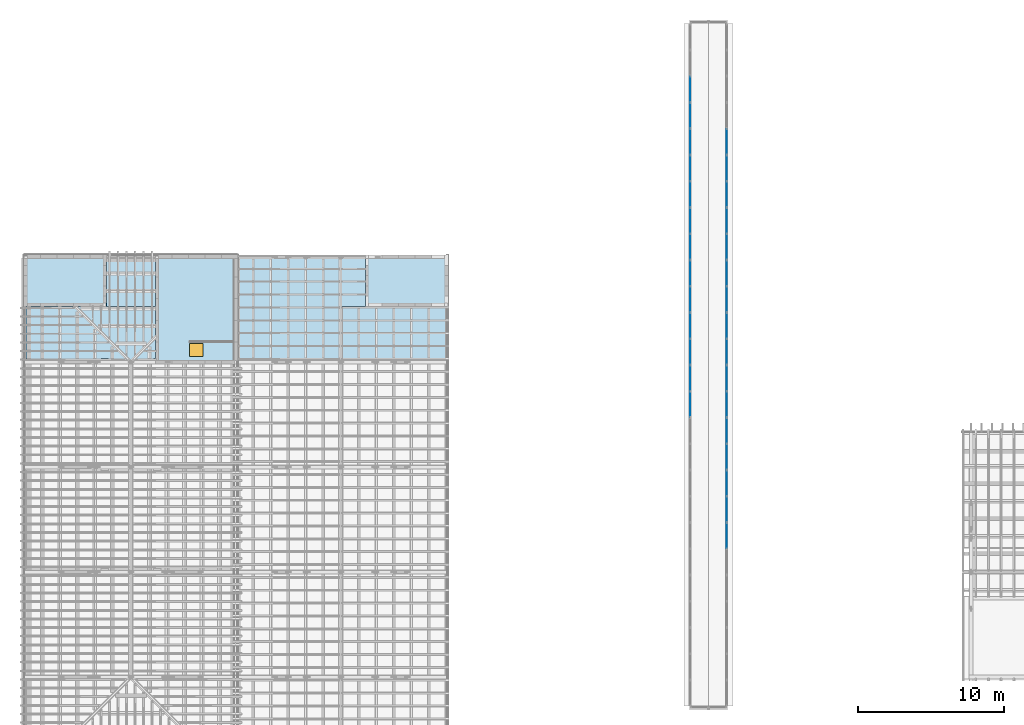
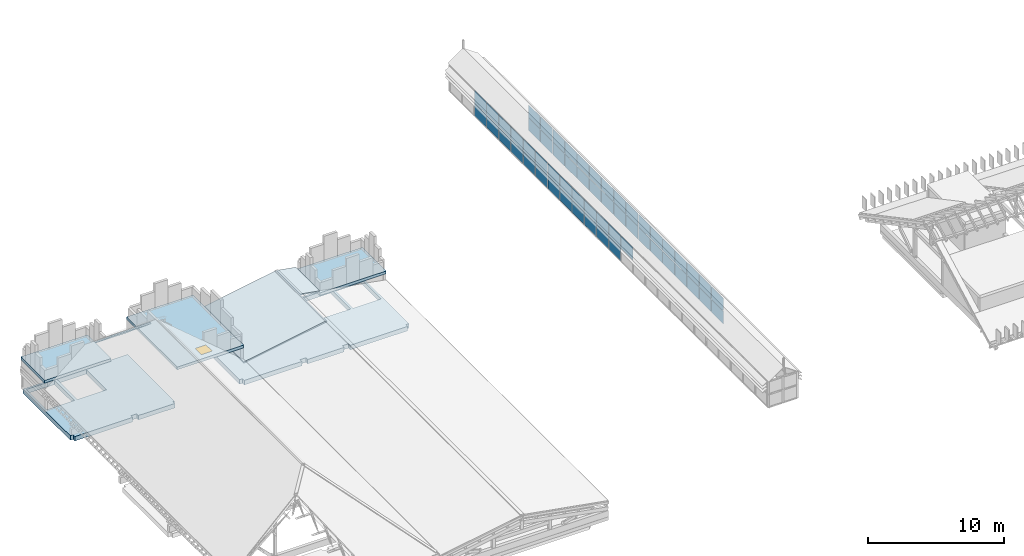
# One storey, part 14 of 28: 57 plates, 8 slabs, 1 door, 1 opening, 2 elements without a shape of their own.
"""IFC4 building model written with IfcOpenShell, lengths in metres."""

import ifcopenshell
import ifcopenshell.guid

model = None  # the IFC model being written
_history = None  # IfcOwnerHistory: only IFC2X3 demands one
_inside = {}  # id of a spatial element -> (the spatial element, [elements in it])
_under = {}  # id of a project, library or spatial element -> (it, [spatial elements below it])
_declared = {}  # id of a project -> (the project, [libraries it declares])
_typed = {}  # id of a type object -> (the type object, [elements of that type])
_made_of = {}  # id of a material, layer set ... -> (it, [elements and type objects made of it])


def new_model(schema):
    """Start an empty IFC model of exactly this schema.

    Asked for "IFC4X3", IfcOpenShell would pick the latest addendum, in which some entities
    have other attributes; the version numbers below select the first issue.
    IFC2X3 requires an IfcOwnerHistory on every rooted entity: one is made here for all.
    """
    global model, _history
    if schema == "IFC4X3":
        model = ifcopenshell.file(schema_version=(4, 3, 0, 0))
    else:
        model = ifcopenshell.file(schema=schema)
    _inside.clear()
    _under.clear()
    _declared.clear()
    _typed.clear()
    _made_of.clear()
    _history = None
    if model.schema == "IFC2X3":
        org = make("IfcOrganization", Name="unknown")
        user = make(
            "IfcPersonAndOrganization",
            ThePerson=make("IfcPerson", FamilyName="unknown"),
            TheOrganization=org,
        )
        app = make(
            "IfcApplication",
            ApplicationDeveloper=org,
            Version="unknown",
            ApplicationFullName="unknown",
            ApplicationIdentifier="unknown",
        )
        _history = make(
            "IfcOwnerHistory",
            OwningUser=user,
            OwningApplication=app,
            ChangeAction="ADDED",
            CreationDate=0,
        )
    return model


def make(cls, **values):
    """One entity of the class cls with the attributes given. An attribute that is None is left unset."""
    return model.create_entity(
        cls, **{name: value for name, value in values.items() if value is not None}
    )


def rooted(cls, **values):
    """An entity with a GlobalId (a new one), such as an element, a storey or a relation."""
    return make(cls, GlobalId=ifcopenshell.guid.new(), OwnerHistory=_history, **values)


def si_unit(unit_type, name, prefix=None):
    """IfcSIUnit, for example si_unit("LENGTHUNIT", "METRE", prefix="MILLI")."""
    return make("IfcSIUnit", UnitType=unit_type, Prefix=prefix, Name=name)


def assignment(units):
    """IfcUnitAssignment: the units of a project."""
    return None if units is None else make("IfcUnitAssignment", Units=units)


def point(xyz):
    """IfcCartesianPoint."""
    return None if xyz is None else make("IfcCartesianPoint", Coordinates=xyz)


def direction(xyz):
    """IfcDirection."""
    return None if xyz is None else make("IfcDirection", DirectionRatios=xyz)


def frame(location, z_axis=None, x_axis=None):
    """IfcAxis2Placement3D, a coordinate frame: its origin and axes. An axis left out is left unset."""
    return make(
        "IfcAxis2Placement3D",
        Location=point(location),
        Axis=direction(z_axis),
        RefDirection=direction(x_axis),
    )


def frame_2d(location, x_axis=None):
    """IfcAxis2Placement2D, a coordinate frame in the plane: its origin and x axis."""
    return make(
        "IfcAxis2Placement2D", Location=point(location), RefDirection=direction(x_axis)
    )


def origin():
    """The frame at (0, 0, 0) with its axes left unset."""
    return frame((0.0, 0.0, 0.0))


def origin_2d():
    """The frame at (0, 0) in the plane with its x axis left unset."""
    return frame_2d((0.0, 0.0))


def place(relative_to, where):
    """IfcLocalPlacement: puts the frame where relative to a parent placement (None: the world)."""
    return make(
        "IfcLocalPlacement", PlacementRelTo=relative_to, RelativePlacement=where
    )


def context(
    kind, dimensions, precision=None, world=None, true_north=None, identifier=None
):
    """IfcGeometricRepresentationContext, for example the 3D "Model" context."""
    return make(
        "IfcGeometricRepresentationContext",
        ContextIdentifier=identifier,
        ContextType=kind,
        CoordinateSpaceDimension=dimensions,
        Precision=precision,
        WorldCoordinateSystem=world,
        TrueNorth=true_north,
    )


def subcontext(parent, identifier, kind, view, scale=None):
    """IfcGeometricRepresentationSubContext, for example "Body" below "Model"."""
    return make(
        "IfcGeometricRepresentationSubContext",
        ContextIdentifier=identifier,
        ContextType=kind,
        ParentContext=parent,
        TargetScale=scale,
        TargetView=view,
    )


def project(units=None, contexts=None):
    """IfcProject with its units and contexts."""
    return rooted(
        "IfcProject",
        Name="project",
        RepresentationContexts=contexts,
        UnitsInContext=assignment(units),
    )


def spatial(cls, under=None, at=None, **own):
    """A site, building, storey or space (cls), placed at a placement, below another one or the project."""
    s = rooted(cls, ObjectPlacement=at, **own)
    if under is not None:
        _under.setdefault(under.id(), (under, []))[1].append(s)
    return s


def polyline(points):
    """IfcPolyline through the points."""
    return make("IfcPolyline", Points=[point(p) for p in points])


def profile(cls, at=None, kind="AREA", **sizes):
    """A parametric profile (cls). Its sizes go by their IFC names, for example OverallWidth=200.0."""
    return make(cls, ProfileType=kind, Position=at, **sizes)


def rectangle(**sizes):
    """IfcRectangleProfileDef."""
    return profile("IfcRectangleProfileDef", **sizes)


def outline(outer, holes=None, kind="AREA"):
    """IfcArbitraryClosedProfileDef: a profile drawn as a closed curve; with holes, ...WithVoids."""
    if holes is None:
        return make("IfcArbitraryClosedProfileDef", ProfileType=kind, OuterCurve=outer)
    return make(
        "IfcArbitraryProfileDefWithVoids",
        ProfileType=kind,
        OuterCurve=outer,
        InnerCurves=holes,
    )


def extrude(swept, where, along, depth):
    """IfcExtrudedAreaSolid: the profile swept, set in the frame where, extruded along a direction by depth."""
    return make(
        "IfcExtrudedAreaSolid",
        SweptArea=swept,
        Position=where,
        ExtrudedDirection=direction(along),
        Depth=depth,
    )


def shape(context_of_items, identifier, shape_type, items):
    """IfcShapeRepresentation: the items that make up one representation, for example the "Body"."""
    return make(
        "IfcShapeRepresentation",
        ContextOfItems=context_of_items,
        RepresentationIdentifier=identifier,
        RepresentationType=shape_type,
        Items=items,
    )


def material(Name=None, Category=None):
    """IfcMaterial."""
    return make("IfcMaterial", Name=Name, Category=Category)


def layer(
    of_material, thickness, ventilated=None, Name=None, Category=None, Priority=None
):
    """IfcMaterialLayer: one layer of a wall or slab, of a material (None: an air gap)."""
    return make(
        "IfcMaterialLayer",
        Material=of_material,
        LayerThickness=thickness,
        IsVentilated=ventilated,
        Name=Name,
        Category=Category,
        Priority=Priority,
    )


def layer_set(layers, Name=None):
    """IfcMaterialLayerSet."""
    return make("IfcMaterialLayerSet", MaterialLayers=layers, LayerSetName=Name)


def made_of(thing, what):
    """Note that an element or type object is made of a material, layer set ...; save() writes the relation."""
    if what is not None:
        _made_of.setdefault(what.id(), (what, []))[1].append(thing)
    return thing


def type_object(cls, material=None, **own):
    """A type object (cls), such as IfcWallType, which elements share."""
    return made_of(rooted(cls, **own), material)


def element(
    cls,
    number,
    at=None,
    inside=None,
    cuts=None,
    type_object=None,
    material=None,
    context=None,
    identifier="Body",
    shape_type=None,
    held_by="IfcProductDefinitionShape",
    body=None,
    shapes=None,
    **own,
):
    """One element of the class cls, such as IfcWall. Its Tag is "e" and its number.

    at: its placement. inside: the storey or other place that contains it. cuts: it is an
    opening in that element (IfcRelVoidsElement). A single representation is given by context,
    identifier, shape_type and body (its items); several are given by shapes. held_by: the class
    of the entity that holds the representations. save() writes the other relations.
    """
    e = rooted(cls, Tag="e%d" % number, ObjectPlacement=at, **own)
    if body is not None:
        shapes = [shape(context, identifier, shape_type, body)]
    if shapes is not None:
        e.Representation = make(held_by, Representations=shapes)
    if inside is not None:
        _inside.setdefault(inside.id(), (inside, []))[1].append(e)
    if cuts is not None:
        rooted(
            "IfcRelVoidsElement", RelatingBuildingElement=cuts, RelatedOpeningElement=e
        )
    if type_object is not None:
        _typed.setdefault(type_object.id(), (type_object, []))[1].append(e)
    return made_of(e, material)


def fill(opening, filler):
    """IfcRelFillsElement: the door or window that sits in an opening."""
    return rooted(
        "IfcRelFillsElement",
        RelatingOpeningElement=opening,
        RelatedBuildingElement=filler,
    )


def aggregate(whole, parts):
    """IfcRelAggregates: a whole, such as a stair, and the parts it consists of."""
    return rooted("IfcRelAggregates", RelatingObject=whole, RelatedObjects=parts)


def save(model, path):
    """Write the relations noted so far, then the file.

    IfcRelAggregates (storeys below a building ...), IfcRelContainedInSpatialStructure (elements
    in a storey), IfcRelDefinesByType, IfcRelAssociatesMaterial and IfcRelDeclares: one each for
    every whole, place, type object, material and project.
    """
    for whole, parts in _under.values():
        aggregate(whole, parts)
    for where, things in _inside.values():
        rooted(
            "IfcRelContainedInSpatialStructure",
            RelatedElements=things,
            RelatingStructure=where,
        )
    for kind, things in _typed.values():
        rooted("IfcRelDefinesByType", RelatedObjects=things, RelatingType=kind)
    for what, things in _made_of.values():
        rooted("IfcRelAssociatesMaterial", RelatedObjects=things, RelatingMaterial=what)
    for by, libraries in _declared.values():
        rooted("IfcRelDeclares", RelatingContext=by, RelatedDefinitions=libraries)
    model.write(path)


model = new_model("IFC4")

# Units and contexts
model_context = context("Model", 3, precision=1e-05, world=origin(), true_north=direction((0.0, 1.0)))
body_context = subcontext(model_context, "Body", "Model", "MODEL_VIEW")
ifc_project = project(units=[si_unit("LENGTHUNIT", "METRE"), si_unit("AREAUNIT", "SQUARE_METRE"), si_unit("VOLUMEUNIT", "CUBIC_METRE"), si_unit("PLANEANGLEUNIT", "RADIAN"), si_unit("MASSUNIT", "GRAM", prefix="KILO")], contexts=[model_context])

# Site, building, storey
site_placement = place(None, origin())
site = spatial("IfcSite", under=ifc_project, at=site_placement, CompositionType="ELEMENT")
building_placement = place(site_placement, origin())
building = spatial("IfcBuilding", under=site, at=building_placement, Name="Mazhai Court Health Centre", CompositionType="ELEMENT")
storey_placement = place(building_placement, frame((0.0, 0.0, 18.0)))
storey = spatial("IfcBuildingStorey", under=building, at=storey_placement, Name="RF", CompositionType="ELEMENT", Elevation=18.0)

# Slabs
ifc_material_1 = material(Name="CLT C24 3-ply", Category="wood")
ifc_layer_1 = layer(ifc_material_1, 0.10009765625)
ifc_layer_set_1 = layer_set([ifc_layer_1], Name="CLT C24 3-ply roof panel 100")
slab_type_1 = type_object("IfcSlabType", Name="CLT C24 3-ply roof panel 100", PredefinedType="ROOF", material=ifc_layer_set_1)
slab_1_placement = place(storey_placement, frame((27.78271484375, 42.320068359375, 2.720947265625), z_axis=(-0.173639575482, 0.0, 0.984809269771), x_axis=(0.0, -1.0, 0.0)))
element("IfcSlab", 1, at=slab_1_placement, inside=storey, type_object=slab_type_1, Name="Roof slab RV5-RS1", PredefinedType="ROOF", context=body_context, shape_type="SweptSolid", body=[
    extrude(outline(polyline([(0.0, 0.0), (7.445068359375, 0.0), (7.445068359375, -7.166481271182881), (0.0, -7.166481271182881), (0.0, 0.0)])), origin(), (0.0, 0.0, -1.0), 0.10009765625),
])
slab_2_placement = place(storey_placement, frame((15.074951171875, 42.320068359375, 1.685302734375), z_axis=(0.0, 0.644945652145, 0.764228438217), x_axis=(0.0, -0.764228438217, 0.644945652145)))
element("IfcSlab", 2, at=slab_2_placement, inside=storey, type_object=slab_type_1, Name="Roof slab RV2-RS4", PredefinedType="ROOF", context=body_context, shape_type="SweptSolid", body=[
    extrude(outline(polyline([(0.0, 0.0), (4.592880335380358, 0.0), (4.592880335380358, -3.349853515625), (0.0, -3.349853515625), (0.0, 0.0)])), origin(), (0.0, 0.0, -1.0), 0.10009765625),
])
slab_3_placement = place(storey_placement, frame((27.8173828125, 42.320068359375, 2.720947265625), z_axis=(0.173611576535, 0.0, 0.984814206078), x_axis=(0.984814206078, 0.0, -0.173611576535)))
element("IfcSlab", 3, at=slab_3_placement, inside=storey, type_object=slab_type_1, Name="Roof slab RV5-RS2", PredefinedType="ROOF", context=body_context, shape_type="SweptSolid", body=[
    extrude(outline(polyline([(0.0, 0.0), (1.683276737397945, 0.0), (1.683276737397945, -3.510009765625001), (0.0, -3.510009765625001), (0.0, 0.0)])), origin(), (0.0, 0.0, -1.0), 0.10009765625),
])

# Curtain wall, plates
ifc_material_2 = material(Name="Teak timber frame, glazed", Category="wood")
ifc_layer_2 = layer(ifc_material_2, 0.10009765625)
ifc_layer_set_2 = layer_set([ifc_layer_2], Name="CURTAIN WALL TIMBER 1800")
curtain_wall_type = type_object("IfcCurtainWallType", Name="CURTAIN WALL TIMBER 1800", PredefinedType="NOTDEFINED", material=ifc_layer_set_2)
curtain_wall_1_placement = place(storey_placement, origin())
curtain_wall_1 = element("IfcCurtainWall", 4, at=curtain_wall_1_placement, inside=storey, type_object=curtain_wall_type, Name="CW-V1-LSW", PredefinedType="NOTDEFINED")
ifc_material_3 = material(Name="Glass IGU 28 mm", Category="glass")
ifc_layer_3 = layer(ifc_material_3, 0.028076171875)
ifc_layer_set_3 = layer_set([ifc_layer_3], Name="CW PANEL IGU 28")
plate_type = type_object("IfcPlateType", Name="CW PANEL IGU 28", PredefinedType="CURTAIN_PANEL", material=ifc_layer_set_3)
plate_1_placement = place(storey_placement, frame((51.75, 32.10009765625, 2.013916015625), z_axis=(0.0, 0.0, 1.0), x_axis=(0.0, 1.0, 0.0)))
plate_1 = element("IfcPlate", 5, at=plate_1_placement, type_object=plate_type, Name="CW panel 12.2", PredefinedType="CURTAIN_PANEL", context=body_context, shape_type="SweptSolid", body=[
    extrude(rectangle(XDim=1.739990234375, YDim=0.028076171875, at=origin_2d()), origin(), (0.0, 0.0, 1.0), 1.10498046875),
])
plate_2_placement = place(storey_placement, frame((51.75, 33.89990234375, 0.84375), z_axis=(0.0, 0.0, 1.0), x_axis=(0.0, 1.0, 0.0)))
plate_2 = element("IfcPlate", 6, at=plate_2_placement, type_object=plate_type, Name="CW panel 13.1", PredefinedType="CURTAIN_PANEL", context=body_context, shape_type="SweptSolid", body=[
    extrude(rectangle(XDim=1.739990234375, YDim=0.028076171875, at=origin_2d()), origin(), (0.0, 0.0, 1.0), 1.110107421875),
])
plate_3_placement = place(storey_placement, frame((51.75, 33.89990234375, 2.013916015625), z_axis=(0.0, 0.0, 1.0), x_axis=(0.0, 1.0, 0.0)))
plate_3 = element("IfcPlate", 7, at=plate_3_placement, type_object=plate_type, Name="CW panel 13.2", PredefinedType="CURTAIN_PANEL", context=body_context, shape_type="SweptSolid", body=[
    extrude(rectangle(XDim=1.739990234375, YDim=0.028076171875, at=origin_2d()), origin(), (0.0, 0.0, 1.0), 1.10498046875),
])
plate_4_placement = place(storey_placement, frame((51.75, 35.699951171875, 0.84375), z_axis=(0.0, 0.0, 1.0), x_axis=(0.0, 1.0, 0.0)))
plate_4 = element("IfcPlate", 8, at=plate_4_placement, type_object=plate_type, Name="CW panel 14.1", PredefinedType="CURTAIN_PANEL", context=body_context, shape_type="SweptSolid", body=[
    extrude(rectangle(XDim=1.739990234375, YDim=0.028076171875, at=origin_2d()), origin(), (0.0, 0.0, 1.0), 1.110107421875),
])
plate_5_placement = place(storey_placement, frame((51.75, 35.699951171875, 2.013916015625), z_axis=(0.0, 0.0, 1.0), x_axis=(0.0, 1.0, 0.0)))
plate_5 = element("IfcPlate", 9, at=plate_5_placement, type_object=plate_type, Name="CW panel 14.2", PredefinedType="CURTAIN_PANEL", context=body_context, shape_type="SweptSolid", body=[
    extrude(rectangle(XDim=1.739990234375, YDim=0.028076171875, at=origin_2d()), origin(), (0.0, 0.0, 1.0), 1.10498046875),
])
plate_6_placement = place(storey_placement, frame((51.75, 37.5, 0.84375), z_axis=(0.0, 0.0, 1.0), x_axis=(0.0, 1.0, 0.0)))
plate_6 = element("IfcPlate", 10, at=plate_6_placement, type_object=plate_type, Name="CW panel 15.1", PredefinedType="CURTAIN_PANEL", context=body_context, shape_type="SweptSolid", body=[
    extrude(rectangle(XDim=1.739990234375, YDim=0.028076171875, at=origin_2d()), origin(), (0.0, 0.0, 1.0), 1.110107421875),
])
plate_7_placement = place(storey_placement, frame((51.75, 37.5, 2.013916015625), z_axis=(0.0, 0.0, 1.0), x_axis=(0.0, 1.0, 0.0)))
plate_7 = element("IfcPlate", 11, at=plate_7_placement, type_object=plate_type, Name="CW panel 15.2", PredefinedType="CURTAIN_PANEL", context=body_context, shape_type="SweptSolid", body=[
    extrude(rectangle(XDim=1.739990234375, YDim=0.028076171875, at=origin_2d()), origin(), (0.0, 0.0, 1.0), 1.10498046875),
])
plate_8_placement = place(storey_placement, frame((51.75, 39.300048828125, 0.84375), z_axis=(0.0, 0.0, 1.0), x_axis=(0.0, 1.0, 0.0)))
plate_8 = element("IfcPlate", 12, at=plate_8_placement, type_object=plate_type, Name="CW panel 16.1", PredefinedType="CURTAIN_PANEL", context=body_context, shape_type="SweptSolid", body=[
    extrude(rectangle(XDim=1.739990234375, YDim=0.028076171875, at=origin_2d()), origin(), (0.0, 0.0, 1.0), 1.110107421875),
])
plate_9_placement = place(storey_placement, frame((51.75, 39.300048828125, 2.013916015625), z_axis=(0.0, 0.0, 1.0), x_axis=(0.0, 1.0, 0.0)))
plate_9 = element("IfcPlate", 13, at=plate_9_placement, type_object=plate_type, Name="CW panel 16.2", PredefinedType="CURTAIN_PANEL", context=body_context, shape_type="SweptSolid", body=[
    extrude(rectangle(XDim=1.739990234375, YDim=0.028076171875, at=origin_2d()), origin(), (0.0, 0.0, 1.0), 1.10498046875),
])
plate_10_placement = place(storey_placement, frame((51.75, 41.10009765625, 0.84375), z_axis=(0.0, 0.0, 1.0), x_axis=(0.0, 1.0, 0.0)))
plate_10 = element("IfcPlate", 14, at=plate_10_placement, type_object=plate_type, Name="CW panel 17.1", PredefinedType="CURTAIN_PANEL", context=body_context, shape_type="SweptSolid", body=[
    extrude(rectangle(XDim=1.739990234375, YDim=0.028076171875, at=origin_2d()), origin(), (0.0, 0.0, 1.0), 1.110107421875),
])
plate_11_placement = place(storey_placement, frame((51.75, 41.10009765625, 2.013916015625), z_axis=(0.0, 0.0, 1.0), x_axis=(0.0, 1.0, 0.0)))
plate_11 = element("IfcPlate", 15, at=plate_11_placement, type_object=plate_type, Name="CW panel 17.2", PredefinedType="CURTAIN_PANEL", context=body_context, shape_type="SweptSolid", body=[
    extrude(rectangle(XDim=1.739990234375, YDim=0.028076171875, at=origin_2d()), origin(), (0.0, 0.0, 1.0), 1.10498046875),
])
plate_12_placement = place(storey_placement, frame((51.75, 42.89990234375, 0.84375), z_axis=(0.0, 0.0, 1.0), x_axis=(0.0, 1.0, 0.0)))
plate_12 = element("IfcPlate", 16, at=plate_12_placement, type_object=plate_type, Name="CW panel 18.1", PredefinedType="CURTAIN_PANEL", context=body_context, shape_type="SweptSolid", body=[
    extrude(rectangle(XDim=1.739990234375, YDim=0.028076171875, at=origin_2d()), origin(), (0.0, 0.0, 1.0), 1.110107421875),
])
plate_13_placement = place(storey_placement, frame((51.75, 42.89990234375, 2.013916015625), z_axis=(0.0, 0.0, 1.0), x_axis=(0.0, 1.0, 0.0)))
plate_13 = element("IfcPlate", 17, at=plate_13_placement, type_object=plate_type, Name="CW panel 18.2", PredefinedType="CURTAIN_PANEL", context=body_context, shape_type="SweptSolid", body=[
    extrude(rectangle(XDim=1.739990234375, YDim=0.028076171875, at=origin_2d()), origin(), (0.0, 0.0, 1.0), 1.10498046875),
])
plate_14_placement = place(storey_placement, frame((51.75, 44.699951171875, 0.84375), z_axis=(0.0, 0.0, 1.0), x_axis=(0.0, 1.0, 0.0)))
plate_14 = element("IfcPlate", 18, at=plate_14_placement, type_object=plate_type, Name="CW panel 19.1", PredefinedType="CURTAIN_PANEL", context=body_context, shape_type="SweptSolid", body=[
    extrude(rectangle(XDim=1.739990234375, YDim=0.028076171875, at=origin_2d()), origin(), (0.0, 0.0, 1.0), 1.110107421875),
])
plate_15_placement = place(storey_placement, frame((51.75, 44.699951171875, 2.013916015625), z_axis=(0.0, 0.0, 1.0), x_axis=(0.0, 1.0, 0.0)))
plate_15 = element("IfcPlate", 19, at=plate_15_placement, type_object=plate_type, Name="CW panel 19.2", PredefinedType="CURTAIN_PANEL", context=body_context, shape_type="SweptSolid", body=[
    extrude(rectangle(XDim=1.739990234375, YDim=0.028076171875, at=origin_2d()), origin(), (0.0, 0.0, 1.0), 1.10498046875),
])
plate_16_placement = place(storey_placement, frame((51.75, 46.5, 0.84375), z_axis=(0.0, 0.0, 1.0), x_axis=(0.0, 1.0, 0.0)))
plate_16 = element("IfcPlate", 20, at=plate_16_placement, type_object=plate_type, Name="CW panel 20.1", PredefinedType="CURTAIN_PANEL", context=body_context, shape_type="SweptSolid", body=[
    extrude(rectangle(XDim=1.739990234375, YDim=0.028076171875, at=origin_2d()), origin(), (0.0, 0.0, 1.0), 1.110107421875),
])
plate_17_placement = place(storey_placement, frame((51.75, 46.5, 2.013916015625), z_axis=(0.0, 0.0, 1.0), x_axis=(0.0, 1.0, 0.0)))
plate_17 = element("IfcPlate", 21, at=plate_17_placement, type_object=plate_type, Name="CW panel 20.2", PredefinedType="CURTAIN_PANEL", context=body_context, shape_type="SweptSolid", body=[
    extrude(rectangle(XDim=1.739990234375, YDim=0.028076171875, at=origin_2d()), origin(), (0.0, 0.0, 1.0), 1.10498046875),
])
plate_18_placement = place(storey_placement, frame((51.75, 48.300048828125, 0.84375), z_axis=(0.0, 0.0, 1.0), x_axis=(0.0, 1.0, 0.0)))
plate_18 = element("IfcPlate", 22, at=plate_18_placement, type_object=plate_type, Name="CW panel 21.1", PredefinedType="CURTAIN_PANEL", context=body_context, shape_type="SweptSolid", body=[
    extrude(rectangle(XDim=1.739990234375, YDim=0.028076171875, at=origin_2d()), origin(), (0.0, 0.0, 1.0), 1.110107421875),
])
plate_19_placement = place(storey_placement, frame((51.75, 48.300048828125, 2.013916015625), z_axis=(0.0, 0.0, 1.0), x_axis=(0.0, 1.0, 0.0)))
plate_19 = element("IfcPlate", 23, at=plate_19_placement, type_object=plate_type, Name="CW panel 21.2", PredefinedType="CURTAIN_PANEL", context=body_context, shape_type="SweptSolid", body=[
    extrude(rectangle(XDim=1.739990234375, YDim=0.028076171875, at=origin_2d()), origin(), (0.0, 0.0, 1.0), 1.10498046875),
])
plate_20_placement = place(storey_placement, frame((51.75, 50.10009765625, 0.84375), z_axis=(0.0, 0.0, 1.0), x_axis=(0.0, 1.0, 0.0)))
plate_20 = element("IfcPlate", 24, at=plate_20_placement, type_object=plate_type, Name="CW panel 22.1", PredefinedType="CURTAIN_PANEL", context=body_context, shape_type="SweptSolid", body=[
    extrude(rectangle(XDim=1.739990234375, YDim=0.028076171875, at=origin_2d()), origin(), (0.0, 0.0, 1.0), 1.110107421875),
])
plate_21_placement = place(storey_placement, frame((51.75, 50.10009765625, 2.013916015625), z_axis=(0.0, 0.0, 1.0), x_axis=(0.0, 1.0, 0.0)))
plate_21 = element("IfcPlate", 25, at=plate_21_placement, type_object=plate_type, Name="CW panel 22.2", PredefinedType="CURTAIN_PANEL", context=body_context, shape_type="SweptSolid", body=[
    extrude(rectangle(XDim=1.739990234375, YDim=0.028076171875, at=origin_2d()), origin(), (0.0, 0.0, 1.0), 1.10498046875),
])
plate_22_placement = place(storey_placement, frame((51.75, 51.89990234375, 0.84375), z_axis=(0.0, 0.0, 1.0), x_axis=(0.0, 1.0, 0.0)))
plate_22 = element("IfcPlate", 26, at=plate_22_placement, type_object=plate_type, Name="CW panel 23.1", PredefinedType="CURTAIN_PANEL", context=body_context, shape_type="SweptSolid", body=[
    extrude(rectangle(XDim=1.739990234375, YDim=0.028076171875, at=origin_2d()), origin(), (0.0, 0.0, 1.0), 1.110107421875),
])
plate_23_placement = place(storey_placement, frame((51.75, 51.89990234375, 2.013916015625), z_axis=(0.0, 0.0, 1.0), x_axis=(0.0, 1.0, 0.0)))
plate_23 = element("IfcPlate", 27, at=plate_23_placement, type_object=plate_type, Name="CW panel 23.2", PredefinedType="CURTAIN_PANEL", context=body_context, shape_type="SweptSolid", body=[
    extrude(rectangle(XDim=1.739990234375, YDim=0.028076171875, at=origin_2d()), origin(), (0.0, 0.0, 1.0), 1.10498046875),
])
plate_24_placement = place(storey_placement, frame((51.75, 53.699951171875, 0.84375), z_axis=(0.0, 0.0, 1.0), x_axis=(0.0, 1.0, 0.0)))
plate_24 = element("IfcPlate", 28, at=plate_24_placement, type_object=plate_type, Name="CW panel 24.1", PredefinedType="CURTAIN_PANEL", context=body_context, shape_type="SweptSolid", body=[
    extrude(rectangle(XDim=1.739990234375, YDim=0.028076171875, at=origin_2d()), origin(), (0.0, 0.0, 1.0), 1.110107421875),
])
plate_25_placement = place(storey_placement, frame((51.75, 53.699951171875, 2.013916015625), z_axis=(0.0, 0.0, 1.0), x_axis=(0.0, 1.0, 0.0)))
plate_25 = element("IfcPlate", 29, at=plate_25_placement, type_object=plate_type, Name="CW panel 24.2", PredefinedType="CURTAIN_PANEL", context=body_context, shape_type="SweptSolid", body=[
    extrude(rectangle(XDim=1.739990234375, YDim=0.028076171875, at=origin_2d()), origin(), (0.0, 0.0, 1.0), 1.10498046875),
])
aggregate(curtain_wall_1, [plate_1, plate_2, plate_3, plate_4, plate_5, plate_6, plate_7, plate_8, plate_9, plate_10, plate_11, plate_12, plate_13, plate_14, plate_15, plate_16, plate_17, plate_18, plate_19, plate_20, plate_21, plate_22, plate_23, plate_24, plate_25])

curtain_wall_2_placement = place(storey_placement, origin())
curtain_wall_2 = element("IfcCurtainWall", 30, at=curtain_wall_2_placement, inside=storey, type_object=curtain_wall_type, Name="CW-V1-LSE", PredefinedType="NOTDEFINED")
plate_26_placement = place(storey_placement, frame((54.25, 50.10009765625, 0.84375), z_axis=(0.0, 0.0, 1.0), x_axis=(0.0, -1.0, 0.0)))
plate_26 = element("IfcPlate", 31, at=plate_26_placement, type_object=plate_type, Name="CW panel 5.1", PredefinedType="CURTAIN_PANEL", context=body_context, shape_type="SweptSolid", body=[
    extrude(rectangle(XDim=1.739990234375, YDim=0.028076171875, at=origin_2d()), origin(), (0.0, 0.0, 1.0), 1.110107421875),
])
plate_27_placement = place(storey_placement, frame((54.25, 50.10009765625, 2.013916015625), z_axis=(0.0, 0.0, 1.0), x_axis=(0.0, -1.0, 0.0)))
plate_27 = element("IfcPlate", 32, at=plate_27_placement, type_object=plate_type, Name="CW panel 5.2", PredefinedType="CURTAIN_PANEL", context=body_context, shape_type="SweptSolid", body=[
    extrude(rectangle(XDim=1.739990234375, YDim=0.028076171875, at=origin_2d()), origin(), (0.0, 0.0, 1.0), 1.10498046875),
])
plate_28_placement = place(storey_placement, frame((54.25, 48.300048828125, 0.84375), z_axis=(0.0, 0.0, 1.0), x_axis=(0.0, -1.0, 0.0)))
plate_28 = element("IfcPlate", 33, at=plate_28_placement, type_object=plate_type, Name="CW panel 6.1", PredefinedType="CURTAIN_PANEL", context=body_context, shape_type="SweptSolid", body=[
    extrude(rectangle(XDim=1.739990234375, YDim=0.028076171875, at=origin_2d()), origin(), (0.0, 0.0, 1.0), 1.110107421875),
])
plate_29_placement = place(storey_placement, frame((54.25, 48.300048828125, 2.013916015625), z_axis=(0.0, 0.0, 1.0), x_axis=(0.0, -1.0, 0.0)))
plate_29 = element("IfcPlate", 34, at=plate_29_placement, type_object=plate_type, Name="CW panel 6.2", PredefinedType="CURTAIN_PANEL", context=body_context, shape_type="SweptSolid", body=[
    extrude(rectangle(XDim=1.739990234375, YDim=0.028076171875, at=origin_2d()), origin(), (0.0, 0.0, 1.0), 1.10498046875),
])
plate_30_placement = place(storey_placement, frame((54.25, 46.5, 0.84375), z_axis=(0.0, 0.0, 1.0), x_axis=(0.0, -1.0, 0.0)))
plate_30 = element("IfcPlate", 35, at=plate_30_placement, type_object=plate_type, Name="CW panel 7.1", PredefinedType="CURTAIN_PANEL", context=body_context, shape_type="SweptSolid", body=[
    extrude(rectangle(XDim=1.739990234375, YDim=0.028076171875, at=origin_2d()), origin(), (0.0, 0.0, 1.0), 1.110107421875),
])
plate_31_placement = place(storey_placement, frame((54.25, 46.5, 2.013916015625), z_axis=(0.0, 0.0, 1.0), x_axis=(0.0, -1.0, 0.0)))
plate_31 = element("IfcPlate", 36, at=plate_31_placement, type_object=plate_type, Name="CW panel 7.2", PredefinedType="CURTAIN_PANEL", context=body_context, shape_type="SweptSolid", body=[
    extrude(rectangle(XDim=1.739990234375, YDim=0.028076171875, at=origin_2d()), origin(), (0.0, 0.0, 1.0), 1.10498046875),
])
plate_32_placement = place(storey_placement, frame((54.25, 44.699951171875, 0.84375), z_axis=(0.0, 0.0, 1.0), x_axis=(0.0, -1.0, 0.0)))
plate_32 = element("IfcPlate", 37, at=plate_32_placement, type_object=plate_type, Name="CW panel 8.1", PredefinedType="CURTAIN_PANEL", context=body_context, shape_type="SweptSolid", body=[
    extrude(rectangle(XDim=1.739990234375, YDim=0.028076171875, at=origin_2d()), origin(), (0.0, 0.0, 1.0), 1.110107421875),
])
plate_33_placement = place(storey_placement, frame((54.25, 44.699951171875, 2.013916015625), z_axis=(0.0, 0.0, 1.0), x_axis=(0.0, -1.0, 0.0)))
plate_33 = element("IfcPlate", 38, at=plate_33_placement, type_object=plate_type, Name="CW panel 8.2", PredefinedType="CURTAIN_PANEL", context=body_context, shape_type="SweptSolid", body=[
    extrude(rectangle(XDim=1.739990234375, YDim=0.028076171875, at=origin_2d()), origin(), (0.0, 0.0, 1.0), 1.10498046875),
])
plate_34_placement = place(storey_placement, frame((54.25, 42.89990234375, 0.84375), z_axis=(0.0, 0.0, 1.0), x_axis=(0.0, -1.0, 0.0)))
plate_34 = element("IfcPlate", 39, at=plate_34_placement, type_object=plate_type, Name="CW panel 9.1", PredefinedType="CURTAIN_PANEL", context=body_context, shape_type="SweptSolid", body=[
    extrude(rectangle(XDim=1.739990234375, YDim=0.028076171875, at=origin_2d()), origin(), (0.0, 0.0, 1.0), 1.110107421875),
])
plate_35_placement = place(storey_placement, frame((54.25, 42.89990234375, 2.013916015625), z_axis=(0.0, 0.0, 1.0), x_axis=(0.0, -1.0, 0.0)))
plate_35 = element("IfcPlate", 40, at=plate_35_placement, type_object=plate_type, Name="CW panel 9.2", PredefinedType="CURTAIN_PANEL", context=body_context, shape_type="SweptSolid", body=[
    extrude(rectangle(XDim=1.739990234375, YDim=0.028076171875, at=origin_2d()), origin(), (0.0, 0.0, 1.0), 1.10498046875),
])
plate_36_placement = place(storey_placement, frame((54.25, 41.10009765625, 0.84375), z_axis=(0.0, 0.0, 1.0), x_axis=(0.0, -1.0, 0.0)))
plate_36 = element("IfcPlate", 41, at=plate_36_placement, type_object=plate_type, Name="CW panel 10.1", PredefinedType="CURTAIN_PANEL", context=body_context, shape_type="SweptSolid", body=[
    extrude(rectangle(XDim=1.739990234375, YDim=0.028076171875, at=origin_2d()), origin(), (0.0, 0.0, 1.0), 1.110107421875),
])
plate_37_placement = place(storey_placement, frame((54.25, 41.10009765625, 2.013916015625), z_axis=(0.0, 0.0, 1.0), x_axis=(0.0, -1.0, 0.0)))
plate_37 = element("IfcPlate", 42, at=plate_37_placement, type_object=plate_type, Name="CW panel 10.2", PredefinedType="CURTAIN_PANEL", context=body_context, shape_type="SweptSolid", body=[
    extrude(rectangle(XDim=1.739990234375, YDim=0.028076171875, at=origin_2d()), origin(), (0.0, 0.0, 1.0), 1.10498046875),
])
plate_38_placement = place(storey_placement, frame((54.25, 39.300048828125, 0.84375), z_axis=(0.0, 0.0, 1.0), x_axis=(0.0, -1.0, 0.0)))
plate_38 = element("IfcPlate", 43, at=plate_38_placement, type_object=plate_type, Name="CW panel 11.1", PredefinedType="CURTAIN_PANEL", context=body_context, shape_type="SweptSolid", body=[
    extrude(rectangle(XDim=1.739990234375, YDim=0.028076171875, at=origin_2d()), origin(), (0.0, 0.0, 1.0), 1.110107421875),
])
plate_39_placement = place(storey_placement, frame((54.25, 39.300048828125, 2.013916015625), z_axis=(0.0, 0.0, 1.0), x_axis=(0.0, -1.0, 0.0)))
plate_39 = element("IfcPlate", 44, at=plate_39_placement, type_object=plate_type, Name="CW panel 11.2", PredefinedType="CURTAIN_PANEL", context=body_context, shape_type="SweptSolid", body=[
    extrude(rectangle(XDim=1.739990234375, YDim=0.028076171875, at=origin_2d()), origin(), (0.0, 0.0, 1.0), 1.10498046875),
])
plate_40_placement = place(storey_placement, frame((54.25, 37.5, 0.84375), z_axis=(0.0, 0.0, 1.0), x_axis=(0.0, -1.0, 0.0)))
plate_40 = element("IfcPlate", 45, at=plate_40_placement, type_object=plate_type, Name="CW panel 12.1", PredefinedType="CURTAIN_PANEL", context=body_context, shape_type="SweptSolid", body=[
    extrude(rectangle(XDim=1.739990234375, YDim=0.028076171875, at=origin_2d()), origin(), (0.0, 0.0, 1.0), 1.110107421875),
])
plate_41_placement = place(storey_placement, frame((54.25, 37.5, 2.013916015625), z_axis=(0.0, 0.0, 1.0), x_axis=(0.0, -1.0, 0.0)))
plate_41 = element("IfcPlate", 46, at=plate_41_placement, type_object=plate_type, Name="CW panel 12.2", PredefinedType="CURTAIN_PANEL", context=body_context, shape_type="SweptSolid", body=[
    extrude(rectangle(XDim=1.739990234375, YDim=0.028076171875, at=origin_2d()), origin(), (0.0, 0.0, 1.0), 1.10498046875),
])
plate_42_placement = place(storey_placement, frame((54.25, 35.699951171875, 0.84375), z_axis=(0.0, 0.0, 1.0), x_axis=(0.0, -1.0, 0.0)))
plate_42 = element("IfcPlate", 47, at=plate_42_placement, type_object=plate_type, Name="CW panel 13.1", PredefinedType="CURTAIN_PANEL", context=body_context, shape_type="SweptSolid", body=[
    extrude(rectangle(XDim=1.739990234375, YDim=0.028076171875, at=origin_2d()), origin(), (0.0, 0.0, 1.0), 1.110107421875),
])
plate_43_placement = place(storey_placement, frame((54.25, 35.699951171875, 2.013916015625), z_axis=(0.0, 0.0, 1.0), x_axis=(0.0, -1.0, 0.0)))
plate_43 = element("IfcPlate", 48, at=plate_43_placement, type_object=plate_type, Name="CW panel 13.2", PredefinedType="CURTAIN_PANEL", context=body_context, shape_type="SweptSolid", body=[
    extrude(rectangle(XDim=1.739990234375, YDim=0.028076171875, at=origin_2d()), origin(), (0.0, 0.0, 1.0), 1.10498046875),
])
plate_44_placement = place(storey_placement, frame((54.25, 33.89990234375, 0.84375), z_axis=(0.0, 0.0, 1.0), x_axis=(0.0, -1.0, 0.0)))
plate_44 = element("IfcPlate", 49, at=plate_44_placement, type_object=plate_type, Name="CW panel 14.1", PredefinedType="CURTAIN_PANEL", context=body_context, shape_type="SweptSolid", body=[
    extrude(rectangle(XDim=1.739990234375, YDim=0.028076171875, at=origin_2d()), origin(), (0.0, 0.0, 1.0), 1.110107421875),
])
plate_45_placement = place(storey_placement, frame((54.25, 33.89990234375, 2.013916015625), z_axis=(0.0, 0.0, 1.0), x_axis=(0.0, -1.0, 0.0)))
plate_45 = element("IfcPlate", 50, at=plate_45_placement, type_object=plate_type, Name="CW panel 14.2", PredefinedType="CURTAIN_PANEL", context=body_context, shape_type="SweptSolid", body=[
    extrude(rectangle(XDim=1.739990234375, YDim=0.028076171875, at=origin_2d()), origin(), (0.0, 0.0, 1.0), 1.10498046875),
])
plate_46_placement = place(storey_placement, frame((54.25, 32.10009765625, 0.84375), z_axis=(0.0, 0.0, 1.0), x_axis=(0.0, -1.0, 0.0)))
plate_46 = element("IfcPlate", 51, at=plate_46_placement, type_object=plate_type, Name="CW panel 15.1", PredefinedType="CURTAIN_PANEL", context=body_context, shape_type="SweptSolid", body=[
    extrude(rectangle(XDim=1.739990234375, YDim=0.028076171875, at=origin_2d()), origin(), (0.0, 0.0, 1.0), 1.110107421875),
])
plate_47_placement = place(storey_placement, frame((54.25, 32.10009765625, 2.013916015625), z_axis=(0.0, 0.0, 1.0), x_axis=(0.0, -1.0, 0.0)))
plate_47 = element("IfcPlate", 52, at=plate_47_placement, type_object=plate_type, Name="CW panel 15.2", PredefinedType="CURTAIN_PANEL", context=body_context, shape_type="SweptSolid", body=[
    extrude(rectangle(XDim=1.739990234375, YDim=0.028076171875, at=origin_2d()), origin(), (0.0, 0.0, 1.0), 1.10498046875),
])
plate_48_placement = place(storey_placement, frame((54.25, 30.300048828125, 0.84375), z_axis=(0.0, 0.0, 1.0), x_axis=(0.0, -1.0, 0.0)))
plate_48 = element("IfcPlate", 53, at=plate_48_placement, type_object=plate_type, Name="CW panel 16.1", PredefinedType="CURTAIN_PANEL", context=body_context, shape_type="SweptSolid", body=[
    extrude(rectangle(XDim=1.739990234375, YDim=0.028076171875, at=origin_2d()), origin(), (0.0, 0.0, 1.0), 1.110107421875),
])
plate_49_placement = place(storey_placement, frame((54.25, 30.300048828125, 2.013916015625), z_axis=(0.0, 0.0, 1.0), x_axis=(0.0, -1.0, 0.0)))
plate_49 = element("IfcPlate", 54, at=plate_49_placement, type_object=plate_type, Name="CW panel 16.2", PredefinedType="CURTAIN_PANEL", context=body_context, shape_type="SweptSolid", body=[
    extrude(rectangle(XDim=1.739990234375, YDim=0.028076171875, at=origin_2d()), origin(), (0.0, 0.0, 1.0), 1.10498046875),
])
plate_50_placement = place(storey_placement, frame((54.25, 28.5, 0.84375), z_axis=(0.0, 0.0, 1.0), x_axis=(0.0, -1.0, 0.0)))
plate_50 = element("IfcPlate", 55, at=plate_50_placement, type_object=plate_type, Name="CW panel 17.1", PredefinedType="CURTAIN_PANEL", context=body_context, shape_type="SweptSolid", body=[
    extrude(rectangle(XDim=1.739990234375, YDim=0.028076171875, at=origin_2d()), origin(), (0.0, 0.0, 1.0), 1.110107421875),
])
plate_51_placement = place(storey_placement, frame((54.25, 28.5, 2.013916015625), z_axis=(0.0, 0.0, 1.0), x_axis=(0.0, -1.0, 0.0)))
plate_51 = element("IfcPlate", 56, at=plate_51_placement, type_object=plate_type, Name="CW panel 17.2", PredefinedType="CURTAIN_PANEL", context=body_context, shape_type="SweptSolid", body=[
    extrude(rectangle(XDim=1.739990234375, YDim=0.028076171875, at=origin_2d()), origin(), (0.0, 0.0, 1.0), 1.10498046875),
])
plate_52_placement = place(storey_placement, frame((54.25, 26.699951171875, 0.84375), z_axis=(0.0, 0.0, 1.0), x_axis=(0.0, -1.0, 0.0)))
plate_52 = element("IfcPlate", 57, at=plate_52_placement, type_object=plate_type, Name="CW panel 18.1", PredefinedType="CURTAIN_PANEL", context=body_context, shape_type="SweptSolid", body=[
    extrude(rectangle(XDim=1.739990234375, YDim=0.028076171875, at=origin_2d()), origin(), (0.0, 0.0, 1.0), 1.110107421875),
])
plate_53_placement = place(storey_placement, frame((54.25, 26.699951171875, 2.013916015625), z_axis=(0.0, 0.0, 1.0), x_axis=(0.0, -1.0, 0.0)))
plate_53 = element("IfcPlate", 58, at=plate_53_placement, type_object=plate_type, Name="CW panel 18.2", PredefinedType="CURTAIN_PANEL", context=body_context, shape_type="SweptSolid", body=[
    extrude(rectangle(XDim=1.739990234375, YDim=0.028076171875, at=origin_2d()), origin(), (0.0, 0.0, 1.0), 1.10498046875),
])
plate_54_placement = place(storey_placement, frame((54.25, 24.89990234375, 0.84375), z_axis=(0.0, 0.0, 1.0), x_axis=(0.0, -1.0, 0.0)))
plate_54 = element("IfcPlate", 59, at=plate_54_placement, type_object=plate_type, Name="CW panel 19.1", PredefinedType="CURTAIN_PANEL", context=body_context, shape_type="SweptSolid", body=[
    extrude(rectangle(XDim=1.739990234375, YDim=0.028076171875, at=origin_2d()), origin(), (0.0, 0.0, 1.0), 1.110107421875),
])
plate_55_placement = place(storey_placement, frame((54.25, 24.89990234375, 2.013916015625), z_axis=(0.0, 0.0, 1.0), x_axis=(0.0, -1.0, 0.0)))
plate_55 = element("IfcPlate", 60, at=plate_55_placement, type_object=plate_type, Name="CW panel 19.2", PredefinedType="CURTAIN_PANEL", context=body_context, shape_type="SweptSolid", body=[
    extrude(rectangle(XDim=1.739990234375, YDim=0.028076171875, at=origin_2d()), origin(), (0.0, 0.0, 1.0), 1.10498046875),
])
plate_56_placement = place(storey_placement, frame((54.25, 23.10009765625, 0.84375), z_axis=(0.0, 0.0, 1.0), x_axis=(0.0, -1.0, 0.0)))
plate_56 = element("IfcPlate", 61, at=plate_56_placement, type_object=plate_type, Name="CW panel 20.1", PredefinedType="CURTAIN_PANEL", context=body_context, shape_type="SweptSolid", body=[
    extrude(rectangle(XDim=1.739990234375, YDim=0.028076171875, at=origin_2d()), origin(), (0.0, 0.0, 1.0), 1.110107421875),
])
plate_57_placement = place(storey_placement, frame((54.25, 23.10009765625, 2.013916015625), z_axis=(0.0, 0.0, 1.0), x_axis=(0.0, -1.0, 0.0)))
plate_57 = element("IfcPlate", 62, at=plate_57_placement, type_object=plate_type, Name="CW panel 20.2", PredefinedType="CURTAIN_PANEL", context=body_context, shape_type="SweptSolid", body=[
    extrude(rectangle(XDim=1.739990234375, YDim=0.028076171875, at=origin_2d()), origin(), (0.0, 0.0, 1.0), 1.10498046875),
])
aggregate(curtain_wall_2, [plate_26, plate_27, plate_28, plate_29, plate_30, plate_31, plate_32, plate_33, plate_34, plate_35, plate_36, plate_37, plate_38, plate_39, plate_40, plate_41, plate_42, plate_43, plate_44, plate_45, plate_46, plate_47, plate_48, plate_49, plate_50, plate_51, plate_52, plate_53, plate_54, plate_55, plate_56, plate_57])

# Slab, opening, door
ifc_material_4 = material(Name="Concrete M40", Category="concrete")
ifc_layer_4 = layer(ifc_material_4, 0.25)
ifc_layer_set_4 = layer_set([ifc_layer_4], Name="RC CORE ROOF 250 M40")
slab_type_2 = type_object("IfcSlabType", Name="RC CORE ROOF 250 M40", PredefinedType="ROOF", material=ifc_layer_set_4)
slab_4_placement = place(storey_placement, frame((0.0, 0.0, 2.75)))
slab_4 = element("IfcSlab", 63, at=slab_4_placement, inside=storey, type_object=slab_type_2, Name="core-C3-head-house-slab", PredefinedType="ROOF", context=body_context, shape_type="SweptSolid", body=[
    extrude(outline(polyline([(15.074951171875, 34.875), (15.074951171875, 42.324951171875), (20.72509765625, 42.324951171875), (20.72509765625, 34.875), (15.074951171875, 34.875)])), origin(), (0.0, 0.0, 1.0), 0.25),
])
opening_placement = place(slab_4_placement, frame((17.8798828125, 35.824951171875, 0.0)))
opening = element("IfcOpeningElement", 64, at=opening_placement, cuts=slab_4, Name="Opening D-RF-001", PredefinedType="OPENING", context=body_context, shape_type="SweptSolid", body=[
    extrude(rectangle(XDim=0.89990234375, YDim=0.89990234375, at=origin_2d()), origin(), (0.0, 0.0, 1.0), 0.25),
])
ifc_material_5 = material(Name="Galvanised steel hatch", Category="steel")
door_type = type_object("IfcDoorType", Name="ROOF HATCH 900x900", OperationType="SINGLE_SWING_LEFT", PredefinedType="TRAPDOOR", material=ifc_material_5)
door_placement = place(opening_placement, frame((0.0, 0.0, 0.199951171875)))
door = element("IfcDoor", 65, at=door_placement, inside=storey, type_object=door_type, Name="Roof hatch C3", OperationType="SINGLE_SWING_LEFT", OverallHeight=0.89990234375, OverallWidth=0.89990234375, PredefinedType="TRAPDOOR", context=body_context, shape_type="SweptSolid", body=[
    extrude(rectangle(XDim=0.89990234375, YDim=0.89990234375, at=origin_2d()), origin(), (0.0, 0.0, 1.0), 0.050048828125),
])
fill(opening, door)

# Slabs
slab_5_placement = place(storey_placement, frame((0.0, 0.0, 2.31298828125)))
element("IfcSlab", 66, at=slab_5_placement, inside=storey, type_object=slab_type_2, Name="core-C3-overrun-slab", PredefinedType="ROOF", context=body_context, shape_type="SweptSolid", body=[
    extrude(outline(polyline([(6.074951171875, 38.81005859375), (6.074951171875, 42.324951171875), (11.72509765625, 42.324951171875), (11.72509765625, 38.81005859375), (6.074951171875, 38.81005859375)])), origin(), (0.0, 0.0, 1.0), 0.25),
])
slab_6_placement = place(storey_placement, frame((0.0, 0.0, 1.991943359375)))
element("IfcSlab", 67, at=slab_6_placement, inside=storey, type_object=slab_type_2, Name="core-C5-overrun-slab", PredefinedType="ROOF", context=body_context, shape_type="SweptSolid", body=[
    extrude(outline(polyline([(29.47509765625, 38.81005859375), (29.47509765625, 42.324951171875), (35.125, 42.324951171875), (35.125, 38.81005859375), (29.47509765625, 38.81005859375)])), origin(), (0.0, 0.0, 1.0), 0.25),
])
ifc_material_6 = material(Name="Concrete M40", Category="concrete")
ifc_layer_5 = layer(ifc_material_6, 0.39990234375)
ifc_layer_set_5 = layer_set([ifc_layer_5], Name="RC CORE ROOF 400 M40")
slab_type_3 = type_object("IfcSlabType", Name="RC CORE ROOF 400 M40", PredefinedType="ROOF", material=ifc_layer_set_5)
slab_7_placement = place(storey_placement, frame((0.0, 0.0, -0.7001953125)))
element("IfcSlab", 68, at=slab_7_placement, inside=storey, type_object=slab_type_3, Name="core-C3-roof", PredefinedType="ROOF", context=body_context, shape_type="SweptSolid", body=[
    extrude(outline(polyline([(14.949951171875, 35.25), (14.949951171875, 35.0), (11.85009765625, 35.0), (11.85009765625, 35.25), (11.35009765625, 35.25), (11.35009765625, 35.0), (6.449951171875, 35.0), (6.449951171875, 35.25), (6.199951171875, 35.25), (6.199951171875, 42.199951171875), (15.074951171875, 42.199951171875), (15.074951171875, 35.25), (14.949951171875, 35.25)]), holes=[polyline([(6.364990234375, 42.034912109375), (6.364990234375, 39.034912109375), (8.764892578125, 39.034912109375), (8.764892578125, 42.034912109375), (6.364990234375, 42.034912109375)]), polyline([(8.965087890625, 42.034912109375), (8.965087890625, 39.034912109375), (11.47509765625, 39.034912109375), (11.47509765625, 42.034912109375), (8.965087890625, 42.034912109375)])]), origin(), (0.0, 0.0, 1.0), 0.400146484375),
])
slab_8_placement = place(storey_placement, frame((0.0, 0.0, -0.7001953125)))
element("IfcSlab", 69, at=slab_8_placement, inside=storey, type_object=slab_type_3, Name="core-C5-roof", PredefinedType="ROOF", context=body_context, shape_type="SweptSolid", body=[
    extrude(outline(polyline([(35.0, 42.199951171875), (35.0, 35.25), (34.75, 35.25), (34.75, 35.0), (29.85009765625, 35.0), (29.85009765625, 35.25), (29.35009765625, 35.25), (29.35009765625, 35.0), (26.25, 35.0), (26.25, 35.25), (25.75, 35.25), (25.75, 35.0), (20.85009765625, 35.0), (20.85009765625, 35.25), (20.60009765625, 35.25), (20.60009765625, 42.199951171875), (35.0, 42.199951171875)]), holes=[polyline([(29.72509765625, 42.034912109375), (29.72509765625, 39.034912109375), (32.235107421875, 39.034912109375), (32.235107421875, 42.034912109375), (29.72509765625, 42.034912109375)]), polyline([(32.43505859375, 42.034912109375), (32.43505859375, 39.034912109375), (34.8349609375, 39.034912109375), (34.8349609375, 42.034912109375), (32.43505859375, 42.034912109375)])]), origin(), (0.0, 0.0, 1.0), 0.400146484375),
])

save(model, "model.ifc")
